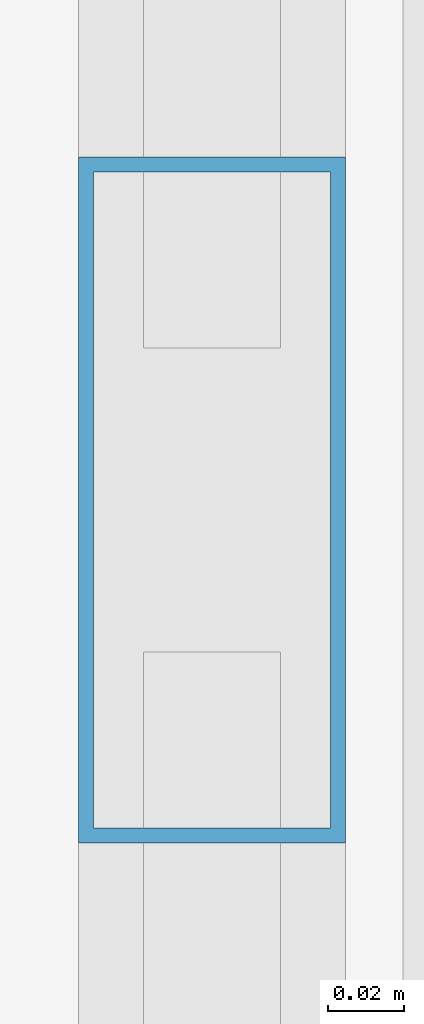
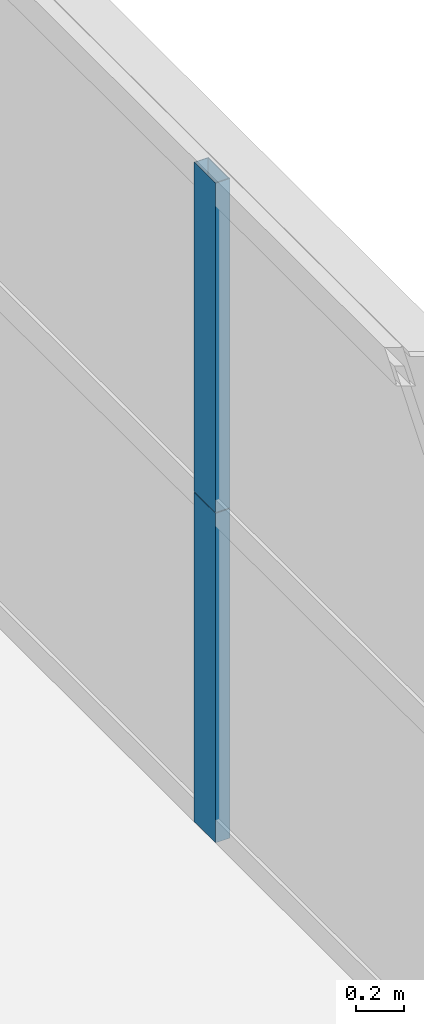
# One storey, part 19 of 42: 2 members, 1 element without a shape of its own.
"""IFC4 building model written with IfcOpenShell, lengths in metres."""

from ifc_helpers import new_model, si_unit, direction, frame, origin, origin_2d, place, context, subcontext, project, spatial, hollow_rectangle, extrude, source, transform, mapped, material, layer, layer_set, material_profile, profile_set, type_object, element, aggregate, save


model = new_model("IFC4")

# Units and contexts
model_context = context("Model", 3, precision=1e-05, world=origin(), true_north=direction((0.0, 1.0)))
body_context = subcontext(model_context, "Body", "Model", "MODEL_VIEW")
ifc_project = project(units=[si_unit("LENGTHUNIT", "METRE"), si_unit("AREAUNIT", "SQUARE_METRE"), si_unit("VOLUMEUNIT", "CUBIC_METRE"), si_unit("PLANEANGLEUNIT", "RADIAN"), si_unit("MASSUNIT", "GRAM", prefix="KILO"), si_unit("THERMODYNAMICTEMPERATUREUNIT", "KELVIN"), si_unit("POWERUNIT", "WATT")], contexts=[model_context])

# Site, building, storey
site_placement = place(None, origin())
site = spatial("IfcSite", under=ifc_project, at=site_placement, CompositionType="ELEMENT")
building_placement = place(site_placement, origin())
building = spatial("IfcBuilding", under=site, at=building_placement, Name="Yuzanri Waterfront Tower", CompositionType="ELEMENT")
storey_placement = place(building_placement, frame((0.0, 0.0, 145.199951171875)))
storey = spatial("IfcBuildingStorey", under=building, at=storey_placement, Name="L38", CompositionType="ELEMENT", Elevation=145.199951171875)

# Curtain wall, members
ifc_material_1 = material(Name="Anodized Architectural Bronze", Category="metal")
ifc_layer = layer(ifc_material_1, 0.159912109375)
ifc_layer_set = layer_set([ifc_layer], Name="Anodized Architectural Bronze")
curtain_wall_type = type_object("IfcCurtainWallType", Name="Anodized Bronze Hotel Upper-Tier Solar-Control Unitized Curtain Wall 7800", PredefinedType="NOTDEFINED", material=ifc_layer_set)
curtain_wall_placement = place(storey_placement, origin())
curtain_wall = element("IfcCurtainWall", 1, at=curtain_wall_placement, inside=storey, type_object=curtain_wall_type, Name="L38 Curtain Wall CW-L38-EL", PredefinedType="NOTDEFINED")
ifc_material_2 = material(Name="Anodized Architectural Bronze", Category="metal")
ifc_material_profile = material_profile(ifc_material_2, hollow_rectangle(XDim=0.070068359375, YDim=0.179931640625, WallThickness=0.00390625, at=origin_2d()), Name="CWM 70x180")
ifc_profile_set = profile_set([ifc_material_profile], Name="Anodized Architectural Bronze")
member_type = type_object("IfcMemberType", Name="Anodized Bronze Standard Curtain-Wall Mullion 70x180", PredefinedType="MULLION", material=ifc_profile_set)
shared_shape = source(origin(), body_context, "Body", "SweptSolid", [
    extrude(hollow_rectangle(XDim=0.070068359375, YDim=0.179931640625, WallThickness=0.00390625, at=origin_2d()), origin(), (0.0, 0.0, 1.0), 1.68798828125),
])
member_1_placement = place(storey_placement, frame((60.449951171875, 17.449951171875, 0.0), z_axis=(0.0, 0.0, 1.0), x_axis=(1.0, 0.0, 0.0)))
member_1 = element("IfcMember", 2, at=member_1_placement, type_object=member_type, Name="CW-L38-EL Lower Mullion 01", PredefinedType="MULLION", context=body_context, shape_type="MappedRepresentation", body=[
    mapped(shared_shape, transform((0.0, 0.0, 0.0), scale=1.0)),
])
member_2_placement = place(storey_placement, frame((60.449951171875, 17.449951171875, 1.692138671875), z_axis=(0.0, 0.0, 1.0), x_axis=(1.0, 0.0, 0.0)))
member_2 = element("IfcMember", 3, at=member_2_placement, type_object=member_type, Name="CW-L38-EL Upper Mullion 01", PredefinedType="MULLION", context=body_context, shape_type="MappedRepresentation", body=[
    mapped(shared_shape, transform((0.0, 0.0, 0.0), scale=1.0)),
])
aggregate(curtain_wall, [member_1, member_2])

save(model, "model.ifc")
